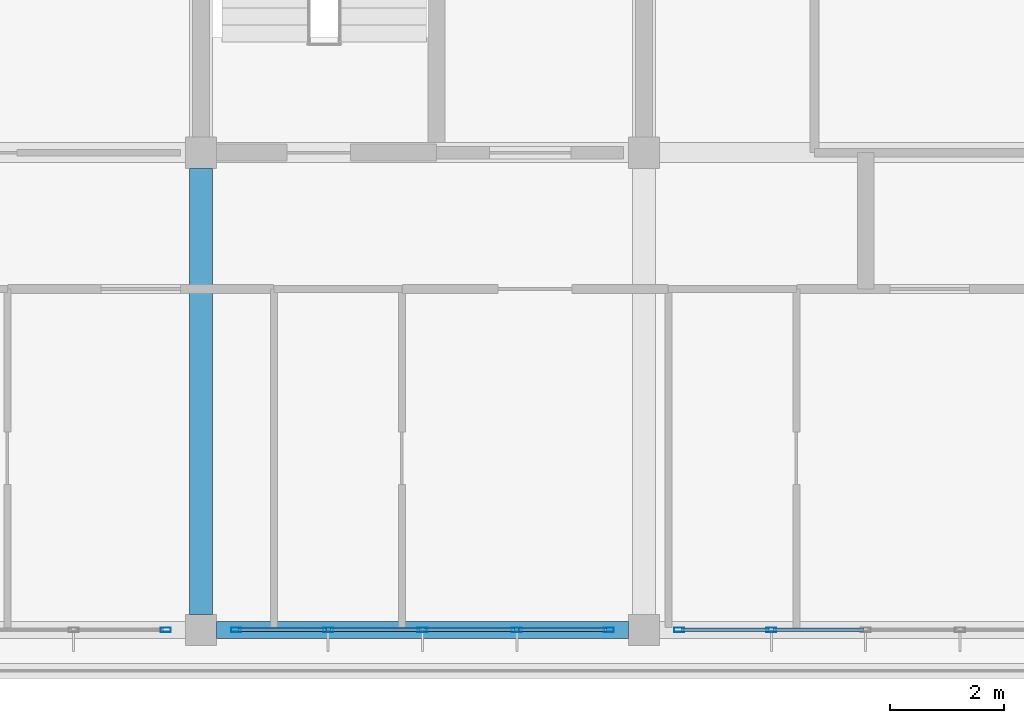
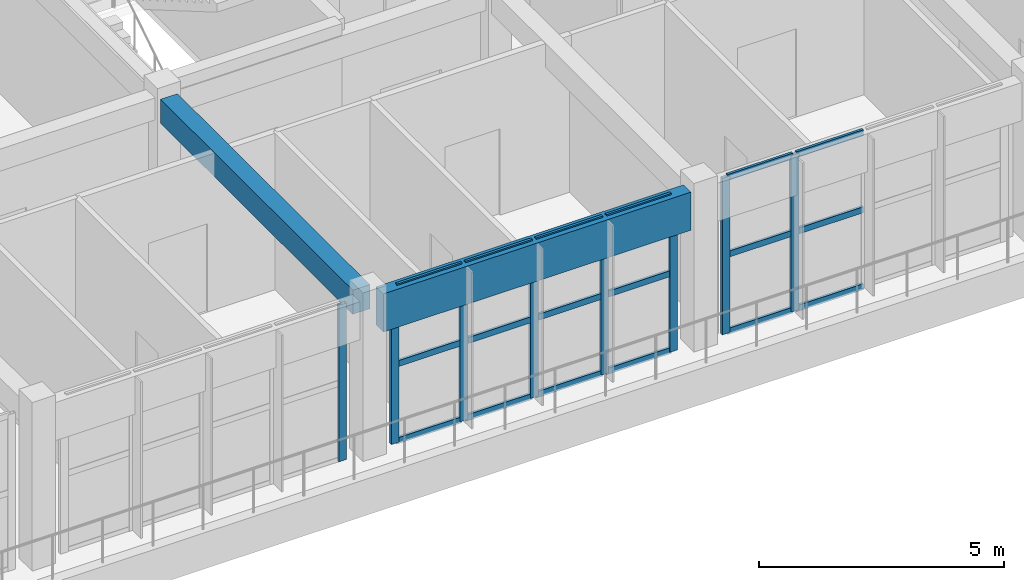
# One storey, part 10 of 44: 26 members, 2 beams, 3 elements without a shape of their own.
"""IFC4 building model written with IfcOpenShell, lengths in metres."""

from ifc_helpers import new_model, si_unit, direction, frame, origin, origin_2d, place, context, subcontext, project, spatial, rectangle, hollow_rectangle, extrude, material, layer, layer_set, material_profile, profile_set, type_object, element, aggregate, save


model = new_model("IFC4")

# Units and contexts
model_context = context("Model", 3, precision=1e-05, world=origin(), true_north=direction((0.0, 1.0)))
body_context = subcontext(model_context, "Body", "Model", "MODEL_VIEW")
ifc_project = project(units=[si_unit("LENGTHUNIT", "METRE"), si_unit("AREAUNIT", "SQUARE_METRE"), si_unit("VOLUMEUNIT", "CUBIC_METRE"), si_unit("PLANEANGLEUNIT", "RADIAN"), si_unit("MASSUNIT", "GRAM", prefix="KILO")], contexts=[model_context])

# Site, building, storey
site_placement = place(None, origin())
site = spatial("IfcSite", under=ifc_project, at=site_placement, CompositionType="ELEMENT")
building_placement = place(site_placement, origin())
building = spatial("IfcBuilding", under=site, at=building_placement, Name="Zizhar Promenade General Hospital", CompositionType="ELEMENT")
storey_placement = place(building_placement, frame((0.0, 0.0, 34.800048828125)))
storey = spatial("IfcBuildingStorey", under=building, at=storey_placement, Name="L08", CompositionType="ELEMENT", Elevation=34.800048828125)

# Beams
ifc_material_1 = material(Name="Precast concrete C40/50", Category="concrete")
ifc_material_profile_1 = material_profile(ifc_material_1, rectangle(XDim=0.300048828125, YDim=0.949951171875, at=origin_2d()))
ifc_profile_set_1 = profile_set([ifc_material_profile_1], Name="Precast concrete C40/50")
beam_type_1 = type_object("IfcBeamType", Name="BM-PC-BAND950", PredefinedType="SPANDREL", material=ifc_profile_set_1)
beam_1_placement = place(storey_placement, frame((62.675048828125, 0.0, 3.43505859375), z_axis=(1.0, 0.0, 0.0), x_axis=(0.0, 1.0, 0.0)))
element("IfcBeam", 1, at=beam_1_placement, inside=storey, type_object=beam_type_1, Name="Grid Beam X L08 (8-0)", PredefinedType="SPANDREL", context=body_context, shape_type="SweptSolid", body=[
    extrude(rectangle(XDim=0.300048828125, YDim=0.949951171875, at=origin_2d()), origin(), (0.0, 0.0, 1.0), 7.25),
])
ifc_material_2 = material(Name="Concrete C35/45", Category="concrete")
ifc_material_profile_2 = material_profile(ifc_material_2, rectangle(XDim=0.39990234375, YDim=0.60009765625, at=origin_2d()))
ifc_profile_set_2 = profile_set([ifc_material_profile_2], Name="Concrete C35/45")
beam_type_2 = type_object("IfcBeamType", Name="BM-RC-400x600", PredefinedType="JOIST", material=ifc_profile_set_2)
beam_2_placement = place(storey_placement, frame((62.39990234375, 0.27490234375, 3.60986328125), z_axis=(0.0, 1.0, 0.0), x_axis=(-1.0, 0.0, 0.0)))
element("IfcBeam", 2, at=beam_2_placement, inside=storey, type_object=beam_type_2, Name="Grid Beam Y L08 (8-0)", PredefinedType="JOIST", context=body_context, shape_type="SweptSolid", body=[
    extrude(rectangle(XDim=0.39990234375, YDim=0.60009765625, at=origin_2d()), origin(), (0.0, 0.0, 1.0), 7.85009765625),
])

# Curtain wall, members
ifc_material_3 = material(Name="Anodised aluminium 6063-T6 and low-E glass", Category="aluminium")
ifc_layer = layer(ifc_material_3, 0.159912109375)
ifc_layer_set = layer_set([ifc_layer], Name="Anodised aluminium 6063-T6 and low-E glass")
curtain_wall_type = type_object("IfcCurtainWallType", Name="CW-WARD-RIB", PredefinedType="NOTDEFINED", material=ifc_layer_set)
curtain_wall_1_placement = place(storey_placement, origin())
curtain_wall_1 = element("IfcCurtainWall", 3, at=curtain_wall_1_placement, inside=storey, type_object=curtain_wall_type, Name="Ward Ribbon Curtain Wall L08-17-3", PredefinedType="NOTDEFINED")
ifc_material_4 = material(Name="Anodised aluminium 6063-T6", Category="aluminium")
ifc_material_profile_3 = material_profile(ifc_material_4, hollow_rectangle(XDim=0.080078125, YDim=0.179931640625, WallThickness=0.0048828125, at=origin_2d()))
ifc_profile_set_3 = profile_set([ifc_material_profile_3], Name="Anodised aluminium 6063-T6")
member_type_1 = type_object("IfcMemberType", Name="CWM-ALU-180x80", PredefinedType="MULLION", material=ifc_profile_set_3)
member_1_placement = place(storey_placement, frame((72.43994140625, 0.0, 0.0), z_axis=(0.0, 0.0, 1.0), x_axis=(0.0, -1.0, 0.0)))
member_1 = element("IfcMember", 4, at=member_1_placement, type_object=member_type_1, Name="CW-13 mullion 4", PredefinedType="MULLION", context=body_context, shape_type="SweptSolid", body=[
    extrude(hollow_rectangle(XDim=0.080078125, YDim=0.179931640625, WallThickness=0.0048828125, at=origin_2d()), origin(), (0.0, 0.0, 1.0), 3.89990234375),
])
member_2_placement = place(storey_placement, frame((70.820068359375, 0.0, 0.0), z_axis=(0.0, 0.0, 1.0), x_axis=(0.0, -1.0, 0.0)))
member_2 = element("IfcMember", 5, at=member_2_placement, type_object=member_type_1, Name="CW-13 mullion 5", PredefinedType="MULLION", context=body_context, shape_type="SweptSolid", body=[
    extrude(hollow_rectangle(XDim=0.080078125, YDim=0.179931640625, WallThickness=0.0048828125, at=origin_2d()), origin(), (0.0, 0.0, 1.0), 3.89990234375),
])

curtain_wall_2_placement = place(storey_placement, origin())
curtain_wall_2 = element("IfcCurtainWall", 6, at=curtain_wall_2_placement, inside=storey, type_object=curtain_wall_type, Name="Ward Ribbon Curtain Wall L08-17-4", PredefinedType="NOTDEFINED")
member_3_placement = place(storey_placement, frame((69.580078125, 0.0, 0.0), z_axis=(0.0, 0.0, 1.0), x_axis=(0.0, -1.0, 0.0)))
member_3 = element("IfcMember", 7, at=member_3_placement, type_object=member_type_1, Name="CW-13 mullion 1", PredefinedType="MULLION", context=body_context, shape_type="SweptSolid", body=[
    extrude(hollow_rectangle(XDim=0.080078125, YDim=0.179931640625, WallThickness=0.0048828125, at=origin_2d()), origin(), (0.0, 0.0, 1.0), 3.89990234375),
])
member_4_placement = place(storey_placement, frame((67.9599609375, 0.0, 0.0), z_axis=(0.0, 0.0, 1.0), x_axis=(0.0, -1.0, 0.0)))
member_4 = element("IfcMember", 8, at=member_4_placement, type_object=member_type_1, Name="CW-13 mullion 2", PredefinedType="MULLION", context=body_context, shape_type="SweptSolid", body=[
    extrude(hollow_rectangle(XDim=0.080078125, YDim=0.179931640625, WallThickness=0.0048828125, at=origin_2d()), origin(), (0.0, 0.0, 1.0), 3.89990234375),
])
member_5_placement = place(storey_placement, frame((66.300048828125, 0.0, 0.0), z_axis=(0.0, 0.0, 1.0), x_axis=(0.0, -1.0, 0.0)))
member_5 = element("IfcMember", 9, at=member_5_placement, type_object=member_type_1, Name="CW-13 mullion 3", PredefinedType="MULLION", context=body_context, shape_type="SweptSolid", body=[
    extrude(hollow_rectangle(XDim=0.080078125, YDim=0.179931640625, WallThickness=0.0048828125, at=origin_2d()), origin(), (0.0, 0.0, 1.0), 3.89990234375),
])
member_6_placement = place(storey_placement, frame((64.639892578125, 0.0, 0.0), z_axis=(0.0, 0.0, 1.0), x_axis=(0.0, -1.0, 0.0)))
member_6 = element("IfcMember", 10, at=member_6_placement, type_object=member_type_1, Name="CW-13 mullion 4", PredefinedType="MULLION", context=body_context, shape_type="SweptSolid", body=[
    extrude(hollow_rectangle(XDim=0.080078125, YDim=0.179931640625, WallThickness=0.0048828125, at=origin_2d()), origin(), (0.0, 0.0, 1.0), 3.89990234375),
])
member_7_placement = place(storey_placement, frame((63.02001953125, 0.0, 0.0), z_axis=(0.0, 0.0, 1.0), x_axis=(0.0, -1.0, 0.0)))
member_7 = element("IfcMember", 11, at=member_7_placement, type_object=member_type_1, Name="CW-13 mullion 5", PredefinedType="MULLION", context=body_context, shape_type="SweptSolid", body=[
    extrude(hollow_rectangle(XDim=0.080078125, YDim=0.179931640625, WallThickness=0.0048828125, at=origin_2d()), origin(), (0.0, 0.0, 1.0), 3.89990234375),
])

# Curtain wall, member
curtain_wall_3_placement = place(storey_placement, origin())
curtain_wall_3 = element("IfcCurtainWall", 12, at=curtain_wall_3_placement, inside=storey, type_object=curtain_wall_type, Name="Ward Ribbon Curtain Wall L08-17-5", PredefinedType="NOTDEFINED")
member_8_placement = place(storey_placement, frame((61.780029296875, 0.0, 0.0), z_axis=(0.0, 0.0, 1.0), x_axis=(0.0, -1.0, 0.0)))
member_8 = element("IfcMember", 13, at=member_8_placement, type_object=member_type_1, Name="CW-13 mullion 1", PredefinedType="MULLION", context=body_context, shape_type="SweptSolid", body=[
    extrude(hollow_rectangle(XDim=0.080078125, YDim=0.179931640625, WallThickness=0.0048828125, at=origin_2d()), origin(), (0.0, 0.0, 1.0), 3.89990234375),
])
aggregate(curtain_wall_3, [member_8])

# Member
ifc_material_5 = material(Name="Anodised aluminium 6063-T6", Category="aluminium")
ifc_material_profile_4 = material_profile(ifc_material_5, hollow_rectangle(XDim=0.06005859375, YDim=0.14990234375, WallThickness=0.00390625, at=origin_2d()))
ifc_profile_set_4 = profile_set([ifc_material_profile_4], Name="Anodised aluminium 6063-T6")
member_type_2 = type_object("IfcMemberType", Name="CWT-ALU-150x60", PredefinedType="USERDEFINED", material=ifc_profile_set_4)
member_9_placement = place(storey_placement, frame((74.06005859375, 0.0, 0.030029296875), z_axis=(-1.0, 0.0, 0.0), x_axis=(0.0, -1.0, 0.0)))
member_9 = element("IfcMember", 14, at=member_9_placement, type_object=member_type_2, Name="CW-13 transom 3.1", ObjectType="TRANSOM", PredefinedType="USERDEFINED", context=body_context, shape_type="SweptSolid", body=[
    extrude(hollow_rectangle(XDim=0.06005859375, YDim=0.14990234375, WallThickness=0.00390625, at=origin_2d()), origin(), (0.0, 0.0, 1.0), 1.580078125),
])

member_10_placement = place(storey_placement, frame((74.06005859375, 0.0, 1.949951171875), z_axis=(-1.0, 0.0, 0.0), x_axis=(0.0, -1.0, 0.0)))
member_10 = element("IfcMember", 15, at=member_10_placement, type_object=member_type_2, Name="CW-13 transom 3.2", ObjectType="TRANSOM", PredefinedType="USERDEFINED", context=body_context, shape_type="SweptSolid", body=[
    extrude(hollow_rectangle(XDim=0.06005859375, YDim=0.14990234375, WallThickness=0.00390625, at=origin_2d()), origin(), (0.0, 0.0, 1.0), 1.580078125),
])

member_11_placement = place(storey_placement, frame((74.06005859375, 0.0, 3.869873046875), z_axis=(-1.0, 0.0, 0.0), x_axis=(0.0, -1.0, 0.0)))
member_11 = element("IfcMember", 16, at=member_11_placement, type_object=member_type_2, Name="CW-13 transom 3.3", ObjectType="TRANSOM", PredefinedType="USERDEFINED", context=body_context, shape_type="SweptSolid", body=[
    extrude(hollow_rectangle(XDim=0.06005859375, YDim=0.14990234375, WallThickness=0.00390625, at=origin_2d()), origin(), (0.0, 0.0, 1.0), 1.580078125),
])

member_12_placement = place(storey_placement, frame((72.39990234375, 0.0, 0.030029296875), z_axis=(-1.0, 0.0, 0.0), x_axis=(0.0, -1.0, 0.0)))
member_12 = element("IfcMember", 17, at=member_12_placement, type_object=member_type_2, Name="CW-13 transom 4.1", ObjectType="TRANSOM", PredefinedType="USERDEFINED", context=body_context, shape_type="SweptSolid", body=[
    extrude(hollow_rectangle(XDim=0.06005859375, YDim=0.14990234375, WallThickness=0.00390625, at=origin_2d()), origin(), (0.0, 0.0, 1.0), 1.539794921875),
])

member_13_placement = place(storey_placement, frame((72.39990234375, 0.0, 1.949951171875), z_axis=(-1.0, 0.0, 0.0), x_axis=(0.0, -1.0, 0.0)))
member_13 = element("IfcMember", 18, at=member_13_placement, type_object=member_type_2, Name="CW-13 transom 4.2", ObjectType="TRANSOM", PredefinedType="USERDEFINED", context=body_context, shape_type="SweptSolid", body=[
    extrude(hollow_rectangle(XDim=0.06005859375, YDim=0.14990234375, WallThickness=0.00390625, at=origin_2d()), origin(), (0.0, 0.0, 1.0), 1.539794921875),
])

member_14_placement = place(storey_placement, frame((72.39990234375, 0.0, 3.869873046875), z_axis=(-1.0, 0.0, 0.0), x_axis=(0.0, -1.0, 0.0)))
member_14 = element("IfcMember", 19, at=member_14_placement, type_object=member_type_2, Name="CW-13 transom 4.3", ObjectType="TRANSOM", PredefinedType="USERDEFINED", context=body_context, shape_type="SweptSolid", body=[
    extrude(hollow_rectangle(XDim=0.06005859375, YDim=0.14990234375, WallThickness=0.00390625, at=origin_2d()), origin(), (0.0, 0.0, 1.0), 1.539794921875),
])

aggregate(curtain_wall_1, [member_1, member_2, member_9, member_10, member_11, member_12, member_13, member_14])

member_15_placement = place(storey_placement, frame((69.5400390625, 0.0, 0.030029296875), z_axis=(-1.0, 0.0, 0.0), x_axis=(0.0, -1.0, 0.0)))
member_15 = element("IfcMember", 20, at=member_15_placement, type_object=member_type_2, Name="CW-13 transom 1.1", ObjectType="TRANSOM", PredefinedType="USERDEFINED", context=body_context, shape_type="SweptSolid", body=[
    extrude(hollow_rectangle(XDim=0.06005859375, YDim=0.14990234375, WallThickness=0.00390625, at=origin_2d()), origin(), (0.0, 0.0, 1.0), 1.5400390625),
])

member_16_placement = place(storey_placement, frame((69.5400390625, 0.0, 1.949951171875), z_axis=(-1.0, 0.0, 0.0), x_axis=(0.0, -1.0, 0.0)))
member_16 = element("IfcMember", 21, at=member_16_placement, type_object=member_type_2, Name="CW-13 transom 1.2", ObjectType="TRANSOM", PredefinedType="USERDEFINED", context=body_context, shape_type="SweptSolid", body=[
    extrude(hollow_rectangle(XDim=0.06005859375, YDim=0.14990234375, WallThickness=0.00390625, at=origin_2d()), origin(), (0.0, 0.0, 1.0), 1.5400390625),
])

member_17_placement = place(storey_placement, frame((69.5400390625, 0.0, 3.869873046875), z_axis=(-1.0, 0.0, 0.0), x_axis=(0.0, -1.0, 0.0)))
member_17 = element("IfcMember", 22, at=member_17_placement, type_object=member_type_2, Name="CW-13 transom 1.3", ObjectType="TRANSOM", PredefinedType="USERDEFINED", context=body_context, shape_type="SweptSolid", body=[
    extrude(hollow_rectangle(XDim=0.06005859375, YDim=0.14990234375, WallThickness=0.00390625, at=origin_2d()), origin(), (0.0, 0.0, 1.0), 1.5400390625),
])

member_18_placement = place(storey_placement, frame((67.919921875, 0.0, 0.030029296875), z_axis=(-1.0, 0.0, 0.0), x_axis=(0.0, -1.0, 0.0)))
member_18 = element("IfcMember", 23, at=member_18_placement, type_object=member_type_2, Name="CW-13 transom 2.1", ObjectType="TRANSOM", PredefinedType="USERDEFINED", context=body_context, shape_type="SweptSolid", body=[
    extrude(hollow_rectangle(XDim=0.06005859375, YDim=0.14990234375, WallThickness=0.00390625, at=origin_2d()), origin(), (0.0, 0.0, 1.0), 1.579833984375),
])

member_19_placement = place(storey_placement, frame((67.919921875, 0.0, 1.949951171875), z_axis=(-1.0, 0.0, 0.0), x_axis=(0.0, -1.0, 0.0)))
member_19 = element("IfcMember", 24, at=member_19_placement, type_object=member_type_2, Name="CW-13 transom 2.2", ObjectType="TRANSOM", PredefinedType="USERDEFINED", context=body_context, shape_type="SweptSolid", body=[
    extrude(hollow_rectangle(XDim=0.06005859375, YDim=0.14990234375, WallThickness=0.00390625, at=origin_2d()), origin(), (0.0, 0.0, 1.0), 1.579833984375),
])

member_20_placement = place(storey_placement, frame((67.919921875, 0.0, 3.869873046875), z_axis=(-1.0, 0.0, 0.0), x_axis=(0.0, -1.0, 0.0)))
member_20 = element("IfcMember", 25, at=member_20_placement, type_object=member_type_2, Name="CW-13 transom 2.3", ObjectType="TRANSOM", PredefinedType="USERDEFINED", context=body_context, shape_type="SweptSolid", body=[
    extrude(hollow_rectangle(XDim=0.06005859375, YDim=0.14990234375, WallThickness=0.00390625, at=origin_2d()), origin(), (0.0, 0.0, 1.0), 1.579833984375),
])

member_21_placement = place(storey_placement, frame((66.260009765625, 0.0, 0.030029296875), z_axis=(-1.0, 0.0, 0.0), x_axis=(0.0, -1.0, 0.0)))
member_21 = element("IfcMember", 26, at=member_21_placement, type_object=member_type_2, Name="CW-13 transom 3.1", ObjectType="TRANSOM", PredefinedType="USERDEFINED", context=body_context, shape_type="SweptSolid", body=[
    extrude(hollow_rectangle(XDim=0.06005859375, YDim=0.14990234375, WallThickness=0.00390625, at=origin_2d()), origin(), (0.0, 0.0, 1.0), 1.580078125),
])

member_22_placement = place(storey_placement, frame((66.260009765625, 0.0, 1.949951171875), z_axis=(-1.0, 0.0, 0.0), x_axis=(0.0, -1.0, 0.0)))
member_22 = element("IfcMember", 27, at=member_22_placement, type_object=member_type_2, Name="CW-13 transom 3.2", ObjectType="TRANSOM", PredefinedType="USERDEFINED", context=body_context, shape_type="SweptSolid", body=[
    extrude(hollow_rectangle(XDim=0.06005859375, YDim=0.14990234375, WallThickness=0.00390625, at=origin_2d()), origin(), (0.0, 0.0, 1.0), 1.580078125),
])

member_23_placement = place(storey_placement, frame((66.260009765625, 0.0, 3.869873046875), z_axis=(-1.0, 0.0, 0.0), x_axis=(0.0, -1.0, 0.0)))
member_23 = element("IfcMember", 28, at=member_23_placement, type_object=member_type_2, Name="CW-13 transom 3.3", ObjectType="TRANSOM", PredefinedType="USERDEFINED", context=body_context, shape_type="SweptSolid", body=[
    extrude(hollow_rectangle(XDim=0.06005859375, YDim=0.14990234375, WallThickness=0.00390625, at=origin_2d()), origin(), (0.0, 0.0, 1.0), 1.580078125),
])

member_24_placement = place(storey_placement, frame((64.60009765625, 0.0, 0.030029296875), z_axis=(-1.0, 0.0, 0.0), x_axis=(0.0, -1.0, 0.0)))
member_24 = element("IfcMember", 29, at=member_24_placement, type_object=member_type_2, Name="CW-13 transom 4.1", ObjectType="TRANSOM", PredefinedType="USERDEFINED", context=body_context, shape_type="SweptSolid", body=[
    extrude(hollow_rectangle(XDim=0.06005859375, YDim=0.14990234375, WallThickness=0.00390625, at=origin_2d()), origin(), (0.0, 0.0, 1.0), 1.5400390625),
])

member_25_placement = place(storey_placement, frame((64.60009765625, 0.0, 1.949951171875), z_axis=(-1.0, 0.0, 0.0), x_axis=(0.0, -1.0, 0.0)))
member_25 = element("IfcMember", 30, at=member_25_placement, type_object=member_type_2, Name="CW-13 transom 4.2", ObjectType="TRANSOM", PredefinedType="USERDEFINED", context=body_context, shape_type="SweptSolid", body=[
    extrude(hollow_rectangle(XDim=0.06005859375, YDim=0.14990234375, WallThickness=0.00390625, at=origin_2d()), origin(), (0.0, 0.0, 1.0), 1.5400390625),
])

member_26_placement = place(storey_placement, frame((64.60009765625, 0.0, 3.869873046875), z_axis=(-1.0, 0.0, 0.0), x_axis=(0.0, -1.0, 0.0)))
member_26 = element("IfcMember", 31, at=member_26_placement, type_object=member_type_2, Name="CW-13 transom 4.3", ObjectType="TRANSOM", PredefinedType="USERDEFINED", context=body_context, shape_type="SweptSolid", body=[
    extrude(hollow_rectangle(XDim=0.06005859375, YDim=0.14990234375, WallThickness=0.00390625, at=origin_2d()), origin(), (0.0, 0.0, 1.0), 1.5400390625),
])

aggregate(curtain_wall_2, [member_3, member_4, member_5, member_6, member_7, member_15, member_16, member_17, member_18, member_19, member_20, member_21, member_22, member_23, member_24, member_25, member_26])

save(model, "model.ifc")
